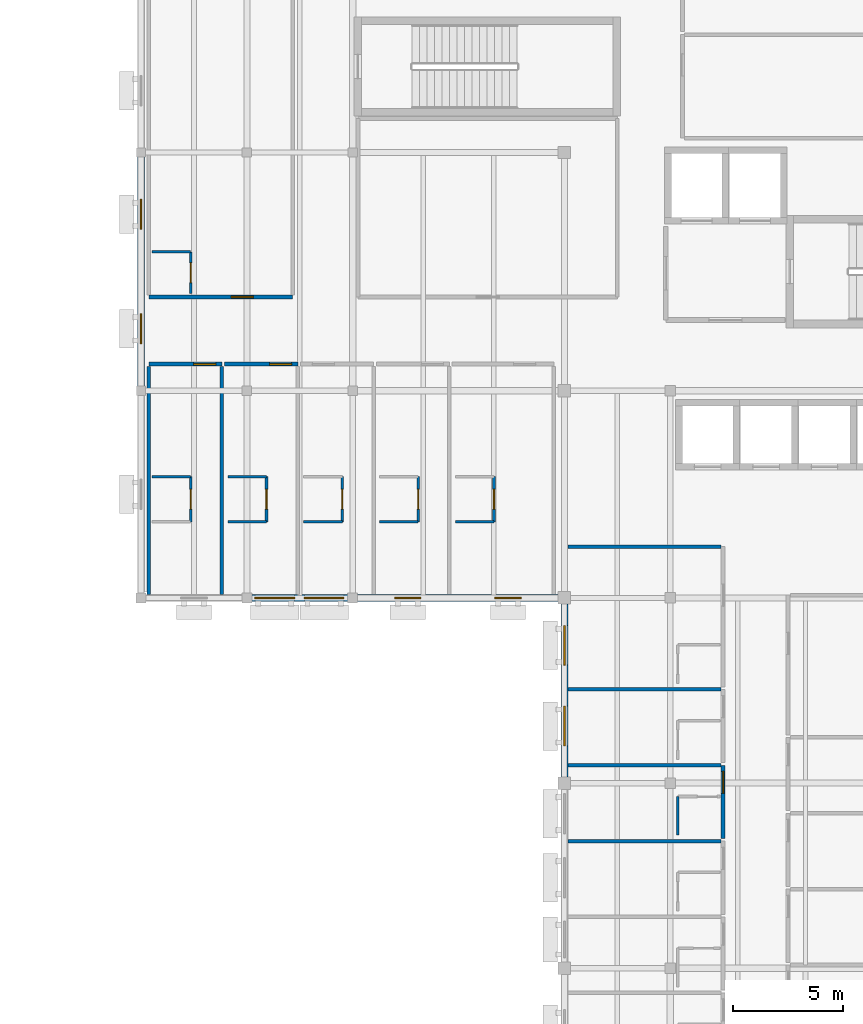
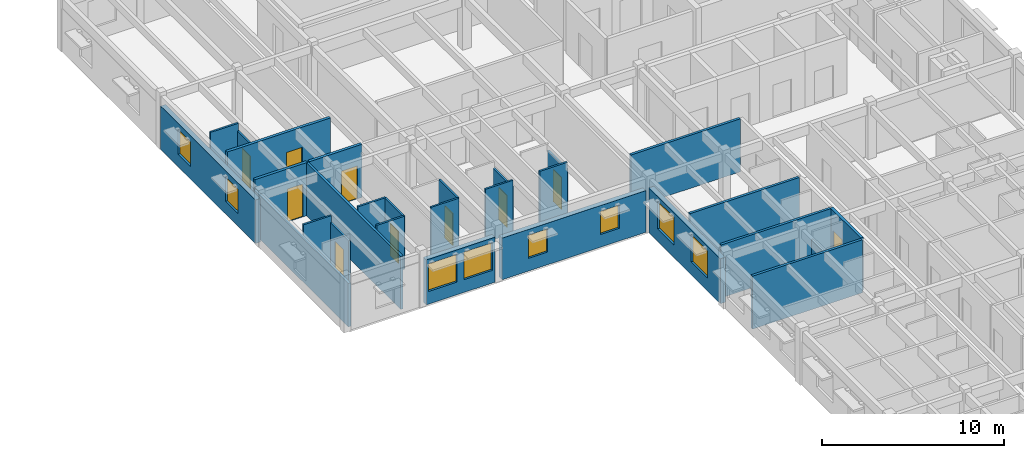
# One storey, part 16 of 31: 28 walls, 10 doors, 8 windows, 18 openings.
"""IFC4 building model written with IfcOpenShell, lengths in metres."""

from ifc_helpers import new_model, si_unit, direction, frame, frame_2d, origin, place, context, subcontext, project, spatial, rectangle, extrude, material, layer, layer_set, type_object, element, fill, save


model = new_model("IFC4")

# Units and contexts
model_context = context("Model", 3, precision=1e-05, world=origin(), true_north=direction((0.0, 1.0)))
body_context = subcontext(model_context, "Body", "Model", "MODEL_VIEW")
ifc_project = project(units=[si_unit("LENGTHUNIT", "METRE"), si_unit("AREAUNIT", "SQUARE_METRE"), si_unit("VOLUMEUNIT", "CUBIC_METRE"), si_unit("PLANEANGLEUNIT", "RADIAN"), si_unit("MASSUNIT", "GRAM", prefix="KILO")], contexts=[model_context])

# Site, building, storey
site_placement = place(None, origin())
site = spatial("IfcSite", under=ifc_project, at=site_placement, CompositionType="ELEMENT")
building_placement = place(site_placement, origin())
building = spatial("IfcBuilding", under=site, at=building_placement, Name="Veldera Park Congress Hotel", CompositionType="ELEMENT")
storey_placement = place(building_placement, frame((0.0, 0.0, 20.0)))
storey = spatial("IfcBuildingStorey", under=building, at=storey_placement, Name="L04", CompositionType="ELEMENT", Elevation=20.0)

# Wall, openings, windows
ifc_material_1 = material(Name="Cross-laminated timber CLT V2M1.1", Category="wood")
ifc_layer_1 = layer(ifc_material_1, 0.320068359375)
ifc_layer_set_1 = layer_set([ifc_layer_1], Name="Cross-laminated timber CLT V2M1.1")
wall_type_1 = type_object("IfcWallType", Name="EW-CLT320", PredefinedType="STANDARD", material=ifc_layer_set_1)
wall_1_placement = place(storey_placement, frame((41.60009765625, 46.991943359375, 0.0), z_axis=(0.0, 0.0, 1.0), x_axis=(0.0, -1.0, 0.0)))
wall_1 = element("IfcWall", 1, at=wall_1_placement, inside=storey, type_object=wall_type_1, Name="L04 Exterior Wall EW3-L04-0262", PredefinedType="STANDARD", context=body_context, shape_type="SweptSolid", body=[
    extrude(rectangle(XDim=10.384033203125, YDim=0.320068359375, at=frame_2d((5.19189453125, 0.0))), origin(), (0.0, 0.0, 1.0), 2.905029296875),
])
opening_1_placement = place(wall_1_placement, frame((1.9208984375, 0.0, 0.85009765625)))
opening_1 = element("IfcOpeningElement", 2, at=opening_1_placement, cuts=wall_1, Name="Opening WIN-1350", PredefinedType="OPENING", context=body_context, shape_type="SweptSolid", body=[
    extrude(rectangle(XDim=1.35009765625, YDim=1.64990234375, at=frame_2d((0.675048828125, 0.824951171875))), frame((0.0, 0.172119140625, 0.0), z_axis=(0.0, -1.0, 0.0), x_axis=(1.0, 0.0, 0.0)), (0.0, 0.0, 1.0), 0.343994140625),
])
opening_2_placement = place(wall_1_placement, frame((7.113037109375, 0.0, 0.85009765625)))
opening_2 = element("IfcOpeningElement", 3, at=opening_2_placement, cuts=wall_1, Name="Opening WIN-1350", PredefinedType="OPENING", context=body_context, shape_type="SweptSolid", body=[
    extrude(rectangle(XDim=1.35009765625, YDim=1.64990234375, at=frame_2d((0.675048828125, 0.824951171875))), frame((0.0, 0.172119140625, 0.0), z_axis=(0.0, -1.0, 0.0), x_axis=(1.0, 0.0, 0.0)), (0.0, 0.0, 1.0), 0.343994140625),
])
ifc_material_2 = material(Name="Low-E Triple Insulating Glass Unit (SHGC 0.22)", Category="glass")
window_type_1 = type_object("IfcWindowType", Name="WIN-1350", PartitioningType="SINGLE_PANEL", PredefinedType="WINDOW", material=ifc_material_2)
window_1_placement = place(opening_1_placement, origin())
window_1 = element("IfcWindow", 4, at=window_1_placement, inside=storey, type_object=window_type_1, Name="L04 Window WIN-1350 211", OverallHeight=1.64990234375, OverallWidth=1.35009765625, PartitioningType="SINGLE_PANEL", PredefinedType="WINDOW", context=body_context, shape_type="SweptSolid", body=[
    extrude(rectangle(XDim=1.35009765625, YDim=1.64990234375, at=frame_2d((0.675048828125, 0.824951171875))), frame((0.0, 0.030029296875, 0.0), z_axis=(0.0, -1.0, 0.0), x_axis=(1.0, 0.0, 0.0)), (0.0, 0.0, 1.0), 0.06005859375),
])
fill(opening_1, window_1)
window_2_placement = place(opening_2_placement, origin())
window_2 = element("IfcWindow", 5, at=window_2_placement, inside=storey, type_object=window_type_1, Name="L04 Window WIN-1350 212", OverallHeight=1.64990234375, OverallWidth=1.35009765625, PartitioningType="SINGLE_PANEL", PredefinedType="WINDOW", context=body_context, shape_type="SweptSolid", body=[
    extrude(rectangle(XDim=1.35009765625, YDim=1.64990234375, at=frame_2d((0.675048828125, 0.824951171875))), frame((0.0, 0.030029296875, 0.0), z_axis=(0.0, -1.0, 0.0), x_axis=(1.0, 0.0, 0.0)), (0.0, 0.0, 1.0), 0.06005859375),
])
fill(opening_2, window_2)

wall_2_placement = place(storey_placement, frame((46.623046875, 27.0, 0.0), z_axis=(0.0, 0.0, 1.0), x_axis=(1.0, 0.0, 0.0)))
wall_2 = element("IfcWall", 6, at=wall_2_placement, inside=storey, type_object=wall_type_1, Name="L04 Exterior Wall EW3-L04-0265", PredefinedType="STANDARD", context=body_context, shape_type="SweptSolid", body=[
    extrude(rectangle(XDim=4.35400390625, YDim=0.320068359375, at=frame_2d((2.177001953125, 0.0))), origin(), (0.0, 0.0, 1.0), 3.0048828125),
])
opening_3_placement = place(wall_2_placement, frame((0.1435546875, 0.0, 0.85009765625)))
opening_3 = element("IfcOpeningElement", 7, at=opening_3_placement, cuts=wall_2, Name="Opening WIN-1800", PredefinedType="OPENING", context=body_context, shape_type="SweptSolid", body=[
    extrude(rectangle(XDim=1.800048828125, YDim=1.85009765625, at=frame_2d((0.89990234375, 0.925048828125))), frame((0.0, 0.172119140625, 0.0), z_axis=(0.0, -1.0, 0.0), x_axis=(1.0, 0.0, 0.0)), (0.0, 0.0, 1.0), 0.343994140625),
])
opening_4_placement = place(wall_2_placement, frame((2.380615234375, 0.0, 0.85009765625)))
opening_4 = element("IfcOpeningElement", 8, at=opening_4_placement, cuts=wall_2, Name="Opening WIN-1800", PredefinedType="OPENING", context=body_context, shape_type="SweptSolid", body=[
    extrude(rectangle(XDim=1.800048828125, YDim=1.85009765625, at=frame_2d((0.89990234375, 0.925048828125))), frame((0.0, 0.172119140625, 0.0), z_axis=(0.0, -1.0, 0.0), x_axis=(1.0, 0.0, 0.0)), (0.0, 0.0, 1.0), 0.343994140625),
])
window_type_2 = type_object("IfcWindowType", Name="WIN-1800", PartitioningType="SINGLE_PANEL", PredefinedType="WINDOW", material=ifc_material_2)
window_3_placement = place(opening_3_placement, origin())
window_3 = element("IfcWindow", 9, at=window_3_placement, inside=storey, type_object=window_type_2, Name="L04 Window WIN-1800 473", OverallHeight=1.85009765625, OverallWidth=1.800048828125, PartitioningType="SINGLE_PANEL", PredefinedType="WINDOW", context=body_context, shape_type="SweptSolid", body=[
    extrude(rectangle(XDim=1.800048828125, YDim=1.85009765625, at=frame_2d((0.89990234375, 0.925048828125))), frame((0.0, 0.030029296875, 0.0), z_axis=(0.0, -1.0, 0.0), x_axis=(1.0, 0.0, 0.0)), (0.0, 0.0, 1.0), 0.06005859375),
])
fill(opening_3, window_3)
window_4_placement = place(opening_4_placement, origin())
window_4 = element("IfcWindow", 10, at=window_4_placement, inside=storey, type_object=window_type_2, Name="L04 Window WIN-1800 474", OverallHeight=1.85009765625, OverallWidth=1.800048828125, PartitioningType="SINGLE_PANEL", PredefinedType="WINDOW", context=body_context, shape_type="SweptSolid", body=[
    extrude(rectangle(XDim=1.800048828125, YDim=1.85009765625, at=frame_2d((0.89990234375, 0.925048828125))), frame((0.0, 0.030029296875, 0.0), z_axis=(0.0, -1.0, 0.0), x_axis=(1.0, 0.0, 0.0)), (0.0, 0.0, 1.0), 0.06005859375),
])
fill(opening_4, window_4)

wall_3_placement = place(storey_placement, frame((51.423095703125, 27.0, 0.0), z_axis=(0.0, 0.0, 1.0), x_axis=(1.0, 0.0, 0.0)))
wall_3 = element("IfcWall", 11, at=wall_3_placement, inside=storey, type_object=wall_type_1, Name="L04 Exterior Wall EW3-L04-0266", PredefinedType="STANDARD", context=body_context, shape_type="SweptSolid", body=[
    extrude(rectangle(XDim=9.098876953125, YDim=0.320068359375, at=frame_2d((4.54931640625, 0.0))), origin(), (0.0, 0.0, 1.0), 2.784912109375),
])
opening_5_placement = place(wall_3_placement, frame((1.6748046875, 0.0, 0.85009765625)))
opening_5 = element("IfcOpeningElement", 12, at=opening_5_placement, cuts=wall_3, Name="Opening WIN-1200", PredefinedType="OPENING", context=body_context, shape_type="SweptSolid", body=[
    extrude(rectangle(XDim=1.199951171875, YDim=1.550048828125, at=frame_2d((0.60009765625, 0.77490234375))), frame((0.0, 0.172119140625, 0.0), z_axis=(0.0, -1.0, 0.0), x_axis=(1.0, 0.0, 0.0)), (0.0, 0.0, 1.0), 0.343994140625),
])
opening_6_placement = place(wall_3_placement, frame((6.22412109375, 0.0, 0.85009765625)))
opening_6 = element("IfcOpeningElement", 13, at=opening_6_placement, cuts=wall_3, Name="Opening WIN-1200", PredefinedType="OPENING", context=body_context, shape_type="SweptSolid", body=[
    extrude(rectangle(XDim=1.199951171875, YDim=1.550048828125, at=frame_2d((0.60009765625, 0.77490234375))), frame((0.0, 0.172119140625, 0.0), z_axis=(0.0, -1.0, 0.0), x_axis=(1.0, 0.0, 0.0)), (0.0, 0.0, 1.0), 0.343994140625),
])
window_type_3 = type_object("IfcWindowType", Name="WIN-1200", PartitioningType="SINGLE_PANEL", PredefinedType="WINDOW", material=ifc_material_2)
window_5_placement = place(opening_5_placement, origin())
window_5 = element("IfcWindow", 14, at=window_5_placement, inside=storey, type_object=window_type_3, Name="L04 Window WIN-1200 215", OverallHeight=1.550048828125, OverallWidth=1.199951171875, PartitioningType="SINGLE_PANEL", PredefinedType="WINDOW", context=body_context, shape_type="SweptSolid", body=[
    extrude(rectangle(XDim=1.199951171875, YDim=1.550048828125, at=frame_2d((0.60009765625, 0.77490234375))), frame((0.0, 0.030029296875, 0.0), z_axis=(0.0, -1.0, 0.0), x_axis=(1.0, 0.0, 0.0)), (0.0, 0.0, 1.0), 0.06005859375),
])
fill(opening_5, window_5)
window_6_placement = place(opening_6_placement, origin())
window_6 = element("IfcWindow", 15, at=window_6_placement, inside=storey, type_object=window_type_3, Name="L04 Window WIN-1200 216", OverallHeight=1.550048828125, OverallWidth=1.199951171875, PartitioningType="SINGLE_PANEL", PredefinedType="WINDOW", context=body_context, shape_type="SweptSolid", body=[
    extrude(rectangle(XDim=1.199951171875, YDim=1.550048828125, at=frame_2d((0.60009765625, 0.77490234375))), frame((0.0, 0.030029296875, 0.0), z_axis=(0.0, -1.0, 0.0), x_axis=(1.0, 0.0, 0.0)), (0.0, 0.0, 1.0), 0.06005859375),
])
fill(opening_6, window_6)

wall_4_placement = place(storey_placement, frame((60.800048828125, 26.721923828125, 0.0), z_axis=(0.0, 0.0, 1.0), x_axis=(0.0, -1.0, 0.0)))
wall_4 = element("IfcWall", 16, at=wall_4_placement, inside=storey, type_object=wall_type_1, Name="L04 Exterior Wall EW3-L04-0267", PredefinedType="STANDARD", context=body_context, shape_type="SweptSolid", body=[
    extrude(rectangle(XDim=7.843994140625, YDim=0.320068359375, at=frame_2d((3.921875, 0.0))), origin(), (0.0, 0.0, 1.0), 3.0048828125),
])
opening_7_placement = place(wall_4_placement, frame((4.632080078125, 0.0, 0.85009765625)))
opening_7 = element("IfcOpeningElement", 17, at=opening_7_placement, cuts=wall_4, Name="Opening WIN-1800", PredefinedType="OPENING", context=body_context, shape_type="SweptSolid", body=[
    extrude(rectangle(XDim=1.800048828125, YDim=1.85009765625, at=frame_2d((0.89990234375, 0.925048828125))), frame((0.0, 0.172119140625, 0.0), z_axis=(0.0, -1.0, 0.0), x_axis=(1.0, 0.0, 0.0)), (0.0, 0.0, 1.0), 0.343994140625),
])
opening_8_placement = place(wall_4_placement, frame((0.97607421875, 0.0, 0.85009765625)))
opening_8 = element("IfcOpeningElement", 18, at=opening_8_placement, cuts=wall_4, Name="Opening WIN-1800", PredefinedType="OPENING", context=body_context, shape_type="SweptSolid", body=[
    extrude(rectangle(XDim=1.800048828125, YDim=1.85009765625, at=frame_2d((0.89990234375, 0.925048828125))), frame((0.0, 0.172119140625, 0.0), z_axis=(0.0, -1.0, 0.0), x_axis=(1.0, 0.0, 0.0)), (0.0, 0.0, 1.0), 0.343994140625),
])
window_7_placement = place(opening_7_placement, origin())
window_7 = element("IfcWindow", 19, at=window_7_placement, inside=storey, type_object=window_type_2, Name="L04 Window WIN-1800 455", OverallHeight=1.85009765625, OverallWidth=1.800048828125, PartitioningType="SINGLE_PANEL", PredefinedType="WINDOW", context=body_context, shape_type="SweptSolid", body=[
    extrude(rectangle(XDim=1.800048828125, YDim=1.85009765625, at=frame_2d((0.89990234375, 0.925048828125))), frame((0.0, 0.030029296875, 0.0), z_axis=(0.0, -1.0, 0.0), x_axis=(1.0, 0.0, 0.0)), (0.0, 0.0, 1.0), 0.06005859375),
])
fill(opening_7, window_7)
window_8_placement = place(opening_8_placement, origin())
window_8 = element("IfcWindow", 20, at=window_8_placement, inside=storey, type_object=window_type_2, Name="L04 Window WIN-1800 456", OverallHeight=1.85009765625, OverallWidth=1.800048828125, PartitioningType="SINGLE_PANEL", PredefinedType="WINDOW", context=body_context, shape_type="SweptSolid", body=[
    extrude(rectangle(XDim=1.800048828125, YDim=1.85009765625, at=frame_2d((0.89990234375, 0.925048828125))), frame((0.0, 0.030029296875, 0.0), z_axis=(0.0, -1.0, 0.0), x_axis=(1.0, 0.0, 0.0)), (0.0, 0.0, 1.0), 0.06005859375),
])
fill(opening_8, window_8)

# Walls
ifc_material_3 = material(Name="Fire-Rated Gypsum Board on Cold-Formed Steel Studs", Category="steel")
ifc_layer_2 = layer(ifc_material_3, 0.1201171875)
ifc_layer_set_2 = layer_set([ifc_layer_2], Name="Fire-Rated Gypsum Board on Cold-Formed Steel Studs")
wall_type_2 = type_object("IfcWallType", Name="IW-BATH120", PredefinedType="PARTITIONING", material=ifc_layer_set_2)
wall_5_placement = place(storey_placement, frame((65.949951171875, 16.239990234375, 0.0), z_axis=(0.0, 0.0, 1.0), x_axis=(0.0, 1.0, 0.0)))
element("IfcWall", 21, at=wall_5_placement, inside=storey, type_object=wall_type_2, Name="L04 Partition Wall IW3-L04-00869", PredefinedType="PARTITIONING", context=body_context, shape_type="SweptSolid", body=[
    extrude(rectangle(XDim=1.75, YDim=0.1201171875, at=frame_2d((0.875, 0.0))), origin(), (0.0, 0.0, 1.0), 3.0048828125),
])
wall_6_placement = place(storey_placement, frame((42.10009765625, 32.5, 0.0), z_axis=(0.0, 0.0, 1.0), x_axis=(1.0, 0.0, 0.0)))
element("IfcWall", 22, at=wall_6_placement, inside=storey, type_object=wall_type_2, Name="L04 Partition Wall IW3-L04-00969", PredefinedType="PARTITIONING", context=body_context, shape_type="SweptSolid", body=[
    extrude(rectangle(XDim=1.75, YDim=0.1201171875, at=frame_2d((0.875, 0.0))), origin(), (0.0, 0.0, 1.0), 3.550048828125),
])

# Wall, opening, door
wall_7_placement = place(storey_placement, frame((43.85009765625, 30.449951171875, 0.0), z_axis=(0.0, 0.0, 1.0), x_axis=(0.0, 1.0, 0.0)))
wall_7 = element("IfcWall", 23, at=wall_7_placement, inside=storey, type_object=wall_type_2, Name="L04 Partition Wall IW3-L04-00970", PredefinedType="PARTITIONING", context=body_context, shape_type="SweptSolid", body=[
    extrude(rectangle(XDim=2.050048828125, YDim=0.1201171875, at=frame_2d((1.02490234375, 0.0))), origin(), (0.0, 0.0, 1.0), 3.094970703125),
])
opening_9_placement = place(wall_7_placement, frame((0.574951171875, 0.0, 0.0)))
opening_9 = element("IfcOpeningElement", 24, at=opening_9_placement, cuts=wall_7, Name="Opening ID-BATH090", PredefinedType="OPENING", context=body_context, shape_type="SweptSolid", body=[
    extrude(rectangle(XDim=0.89990234375, YDim=2.14990234375, at=frame_2d((0.449951171875, 1.074951171875))), frame((0.0, 0.072021484375, 0.0), z_axis=(0.0, -1.0, 0.0), x_axis=(1.0, 0.0, 0.0)), (0.0, 0.0, 1.0), 0.14404296875),
])
ifc_material_4 = material(Name="Solid Core White Oak Architectural Door", Category="wood")
door_type_1 = type_object("IfcDoorType", Name="ID-BATH090", OperationType="NOTDEFINED", PredefinedType="DOOR", material=ifc_material_4)
door_1_placement = place(opening_9_placement, origin())
door_1 = element("IfcDoor", 25, at=door_1_placement, inside=storey, type_object=door_type_1, Name="L04 En-suite 131 Door ID3-L04-0401 (DR3-ID3-L04-0401)", OperationType="SINGLE_SWING_LEFT", OverallHeight=2.14990234375, OverallWidth=0.89990234375, PredefinedType="DOOR", context=body_context, shape_type="SweptSolid", body=[
    extrude(rectangle(XDim=0.89990234375, YDim=2.14990234375, at=frame_2d((0.449951171875, 1.074951171875))), frame((0.0, 0.02490234375, 0.0), z_axis=(0.0, -1.0, 0.0), x_axis=(1.0, 0.0, 0.0)), (0.0, 0.0, 1.0), 0.050048828125),
])
fill(opening_9, door_1)

# Wall
wall_8_placement = place(storey_placement, frame((45.5400390625, 32.5, 0.0), z_axis=(0.0, 0.0, 1.0), x_axis=(1.0, 0.0, 0.0)))
element("IfcWall", 26, at=wall_8_placement, inside=storey, type_object=wall_type_2, Name="L04 Partition Wall IW3-L04-00974", PredefinedType="PARTITIONING", context=body_context, shape_type="SweptSolid", body=[
    extrude(rectangle(XDim=1.75, YDim=0.1201171875, at=frame_2d((0.875, 0.0))), origin(), (0.0, 0.0, 1.0), 3.550048828125),
])

# Wall, opening, door
wall_9_placement = place(storey_placement, frame((47.2900390625, 30.449951171875, 0.0), z_axis=(0.0, 0.0, 1.0), x_axis=(0.0, 1.0, 0.0)))
wall_9 = element("IfcWall", 27, at=wall_9_placement, inside=storey, type_object=wall_type_2, Name="L04 Partition Wall IW3-L04-00975", PredefinedType="PARTITIONING", context=body_context, shape_type="SweptSolid", body=[
    extrude(rectangle(XDim=2.050048828125, YDim=0.1201171875, at=frame_2d((1.02490234375, 0.0))), origin(), (0.0, 0.0, 1.0), 3.550048828125),
])
opening_10_placement = place(wall_9_placement, frame((0.574951171875, 0.0, 0.0)))
opening_10 = element("IfcOpeningElement", 28, at=opening_10_placement, cuts=wall_9, Name="Opening ID-BATH090", PredefinedType="OPENING", context=body_context, shape_type="SweptSolid", body=[
    extrude(rectangle(XDim=0.89990234375, YDim=2.14990234375, at=frame_2d((0.449951171875, 1.074951171875))), frame((0.0, 0.072021484375, 0.0), z_axis=(0.0, -1.0, 0.0), x_axis=(1.0, 0.0, 0.0)), (0.0, 0.0, 1.0), 0.14404296875),
])
door_2_placement = place(opening_10_placement, origin())
door_2 = element("IfcDoor", 29, at=door_2_placement, inside=storey, type_object=door_type_1, Name="L04 En-suite 132 Door ID3-L04-0403 (DR3-ID3-L04-0403)", OperationType="SINGLE_SWING_LEFT", OverallHeight=2.14990234375, OverallWidth=0.89990234375, PredefinedType="DOOR", context=body_context, shape_type="SweptSolid", body=[
    extrude(rectangle(XDim=0.89990234375, YDim=2.14990234375, at=frame_2d((0.449951171875, 1.074951171875))), frame((0.0, 0.02490234375, 0.0), z_axis=(0.0, -1.0, 0.0), x_axis=(1.0, 0.0, 0.0)), (0.0, 0.0, 1.0), 0.050048828125),
])
fill(opening_10, door_2)

# Wall
wall_10_placement = place(storey_placement, frame((45.5400390625, 30.449951171875, 0.0), z_axis=(0.0, 0.0, 1.0), x_axis=(1.0, 0.0, 0.0)))
element("IfcWall", 30, at=wall_10_placement, inside=storey, type_object=wall_type_2, Name="L04 Partition Wall IW3-L04-00976", PredefinedType="PARTITIONING", context=body_context, shape_type="SweptSolid", body=[
    extrude(rectangle(XDim=1.75, YDim=0.1201171875, at=frame_2d((0.875, 0.0))), origin(), (0.0, 0.0, 1.0), 3.550048828125),
])

# Wall, opening, door
wall_11_placement = place(storey_placement, frame((50.72998046875, 30.449951171875, 0.0), z_axis=(0.0, 0.0, 1.0), x_axis=(0.0, 1.0, 0.0)))
wall_11 = element("IfcWall", 31, at=wall_11_placement, inside=storey, type_object=wall_type_2, Name="L04 Partition Wall IW3-L04-00980", PredefinedType="PARTITIONING", context=body_context, shape_type="SweptSolid", body=[
    extrude(rectangle(XDim=2.050048828125, YDim=0.1201171875, at=frame_2d((1.02490234375, 0.0))), origin(), (0.0, 0.0, 1.0), 3.550048828125),
])
opening_11_placement = place(wall_11_placement, frame((0.574951171875, 0.0, 0.0)))
opening_11 = element("IfcOpeningElement", 32, at=opening_11_placement, cuts=wall_11, Name="Opening ID-BATH090", PredefinedType="OPENING", context=body_context, shape_type="SweptSolid", body=[
    extrude(rectangle(XDim=0.89990234375, YDim=2.14990234375, at=frame_2d((0.449951171875, 1.074951171875))), frame((0.0, 0.072021484375, 0.0), z_axis=(0.0, -1.0, 0.0), x_axis=(1.0, 0.0, 0.0)), (0.0, 0.0, 1.0), 0.14404296875),
])
door_3_placement = place(opening_11_placement, origin())
door_3 = element("IfcDoor", 33, at=door_3_placement, inside=storey, type_object=door_type_1, Name="L04 En-suite 133 Door ID3-L04-0405 (DR3-ID3-L04-0405)", OperationType="SINGLE_SWING_LEFT", OverallHeight=2.14990234375, OverallWidth=0.89990234375, PredefinedType="DOOR", context=body_context, shape_type="SweptSolid", body=[
    extrude(rectangle(XDim=0.89990234375, YDim=2.14990234375, at=frame_2d((0.449951171875, 1.074951171875))), frame((0.0, 0.02490234375, 0.0), z_axis=(0.0, -1.0, 0.0), x_axis=(1.0, 0.0, 0.0)), (0.0, 0.0, 1.0), 0.050048828125),
])
fill(opening_11, door_3)

# Wall
wall_12_placement = place(storey_placement, frame((48.97998046875, 30.449951171875, 0.0), z_axis=(0.0, 0.0, 1.0), x_axis=(1.0, 0.0, 0.0)))
element("IfcWall", 34, at=wall_12_placement, inside=storey, type_object=wall_type_2, Name="L04 Partition Wall IW3-L04-00981", PredefinedType="PARTITIONING", context=body_context, shape_type="SweptSolid", body=[
    extrude(rectangle(XDim=1.75, YDim=0.1201171875, at=frame_2d((0.875, 0.0))), origin(), (0.0, 0.0, 1.0), 3.550048828125),
])

# Wall, opening, door
wall_13_placement = place(storey_placement, frame((54.169921875, 30.449951171875, 0.0), z_axis=(0.0, 0.0, 1.0), x_axis=(0.0, 1.0, 0.0)))
wall_13 = element("IfcWall", 35, at=wall_13_placement, inside=storey, type_object=wall_type_2, Name="L04 Partition Wall IW3-L04-00985", PredefinedType="PARTITIONING", context=body_context, shape_type="SweptSolid", body=[
    extrude(rectangle(XDim=2.050048828125, YDim=0.1201171875, at=frame_2d((1.02490234375, 0.0))), origin(), (0.0, 0.0, 1.0), 3.094970703125),
])
opening_12_placement = place(wall_13_placement, frame((0.574951171875, 0.0, 0.0)))
opening_12 = element("IfcOpeningElement", 36, at=opening_12_placement, cuts=wall_13, Name="Opening ID-BATH090", PredefinedType="OPENING", context=body_context, shape_type="SweptSolid", body=[
    extrude(rectangle(XDim=0.89990234375, YDim=2.14990234375, at=frame_2d((0.449951171875, 1.074951171875))), frame((0.0, 0.072021484375, 0.0), z_axis=(0.0, -1.0, 0.0), x_axis=(1.0, 0.0, 0.0)), (0.0, 0.0, 1.0), 0.14404296875),
])
door_4_placement = place(opening_12_placement, origin())
door_4 = element("IfcDoor", 37, at=door_4_placement, inside=storey, type_object=door_type_1, Name="L04 En-suite 134 Door ID3-L04-0407 (DR3-ID3-L04-0407)", OperationType="SINGLE_SWING_LEFT", OverallHeight=2.14990234375, OverallWidth=0.89990234375, PredefinedType="DOOR", context=body_context, shape_type="SweptSolid", body=[
    extrude(rectangle(XDim=0.89990234375, YDim=2.14990234375, at=frame_2d((0.449951171875, 1.074951171875))), frame((0.0, 0.02490234375, 0.0), z_axis=(0.0, -1.0, 0.0), x_axis=(1.0, 0.0, 0.0)), (0.0, 0.0, 1.0), 0.050048828125),
])
fill(opening_12, door_4)

# Wall
wall_14_placement = place(storey_placement, frame((52.419921875, 30.449951171875, 0.0), z_axis=(0.0, 0.0, 1.0), x_axis=(1.0, 0.0, 0.0)))
element("IfcWall", 38, at=wall_14_placement, inside=storey, type_object=wall_type_2, Name="L04 Partition Wall IW3-L04-00986", PredefinedType="PARTITIONING", context=body_context, shape_type="SweptSolid", body=[
    extrude(rectangle(XDim=1.75, YDim=0.1201171875, at=frame_2d((0.875, 0.0))), origin(), (0.0, 0.0, 1.0), 3.550048828125),
])

# Wall, opening, door
wall_15_placement = place(storey_placement, frame((57.610107421875, 30.449951171875, 0.0), z_axis=(0.0, 0.0, 1.0), x_axis=(0.0, 1.0, 0.0)))
wall_15 = element("IfcWall", 39, at=wall_15_placement, inside=storey, type_object=wall_type_2, Name="L04 Partition Wall IW3-L04-00990", PredefinedType="PARTITIONING", context=body_context, shape_type="SweptSolid", body=[
    extrude(rectangle(XDim=2.050048828125, YDim=0.1201171875, at=frame_2d((1.02490234375, 0.0))), origin(), (0.0, 0.0, 1.0), 3.094970703125),
])
opening_13_placement = place(wall_15_placement, frame((0.574951171875, 0.0, 0.0)))
opening_13 = element("IfcOpeningElement", 40, at=opening_13_placement, cuts=wall_15, Name="Opening ID-BATH090", PredefinedType="OPENING", context=body_context, shape_type="SweptSolid", body=[
    extrude(rectangle(XDim=0.89990234375, YDim=2.14990234375, at=frame_2d((0.449951171875, 1.074951171875))), frame((0.0, 0.072021484375, 0.0), z_axis=(0.0, -1.0, 0.0), x_axis=(1.0, 0.0, 0.0)), (0.0, 0.0, 1.0), 0.14404296875),
])
door_5_placement = place(opening_13_placement, origin())
door_5 = element("IfcDoor", 41, at=door_5_placement, inside=storey, type_object=door_type_1, Name="L04 En-suite 135 Door ID3-L04-0409 (DR3-ID3-L04-0409)", OperationType="SINGLE_SWING_LEFT", OverallHeight=2.14990234375, OverallWidth=0.89990234375, PredefinedType="DOOR", context=body_context, shape_type="SweptSolid", body=[
    extrude(rectangle(XDim=0.89990234375, YDim=2.14990234375, at=frame_2d((0.449951171875, 1.074951171875))), frame((0.0, 0.02490234375, 0.0), z_axis=(0.0, -1.0, 0.0), x_axis=(1.0, 0.0, 0.0)), (0.0, 0.0, 1.0), 0.050048828125),
])
fill(opening_13, door_5)

# Wall
wall_16_placement = place(storey_placement, frame((55.860107421875, 30.449951171875, 0.0), z_axis=(0.0, 0.0, 1.0), x_axis=(1.0, 0.0, 0.0)))
element("IfcWall", 42, at=wall_16_placement, inside=storey, type_object=wall_type_2, Name="L04 Partition Wall IW3-L04-00991", PredefinedType="PARTITIONING", context=body_context, shape_type="SweptSolid", body=[
    extrude(rectangle(XDim=1.75, YDim=0.1201171875, at=frame_2d((0.875, 0.0))), origin(), (0.0, 0.0, 1.0), 3.550048828125),
])

# Wall, opening, door
wall_17_placement = place(storey_placement, frame((43.85009765625, 40.800048828125, 0.0), z_axis=(0.0, 0.0, 1.0), x_axis=(0.0, 1.0, 0.0)))
wall_17 = element("IfcWall", 43, at=wall_17_placement, inside=storey, type_object=wall_type_2, Name="L04 Partition Wall IW3-L04-01006", PredefinedType="PARTITIONING", context=body_context, shape_type="SweptSolid", body=[
    extrude(rectangle(XDim=1.89990234375, YDim=0.1201171875, at=frame_2d((0.949951171875, 0.0))), origin(), (0.0, 0.0, 1.0), 3.050048828125),
])
opening_14_placement = place(wall_17_placement, frame((0.5, 0.0, 0.0)))
opening_14 = element("IfcOpeningElement", 44, at=opening_14_placement, cuts=wall_17, Name="Opening ID-BATH090", PredefinedType="OPENING", context=body_context, shape_type="SweptSolid", body=[
    extrude(rectangle(XDim=0.89990234375, YDim=2.14990234375, at=frame_2d((0.449951171875, 1.074951171875))), frame((0.0, 0.072021484375, 0.0), z_axis=(0.0, -1.0, 0.0), x_axis=(1.0, 0.0, 0.0)), (0.0, 0.0, 1.0), 0.14404296875),
])
door_6_placement = place(opening_14_placement, origin())
door_6 = element("IfcDoor", 45, at=door_6_placement, inside=storey, type_object=door_type_1, Name="L04 En-suite 138 Door ID3-L04-0415 (DR3-ID3-L04-0415)", OperationType="SINGLE_SWING_LEFT", OverallHeight=2.14990234375, OverallWidth=0.89990234375, PredefinedType="DOOR", context=body_context, shape_type="SweptSolid", body=[
    extrude(rectangle(XDim=0.89990234375, YDim=2.14990234375, at=frame_2d((0.449951171875, 1.074951171875))), frame((0.0, 0.02490234375, 0.0), z_axis=(0.0, -1.0, 0.0), x_axis=(1.0, 0.0, 0.0)), (0.0, 0.0, 1.0), 0.050048828125),
])
fill(opening_14, door_6)

# Wall
wall_18_placement = place(storey_placement, frame((42.10009765625, 42.699951171875, 0.0), z_axis=(0.0, 0.0, 1.0), x_axis=(1.0, 0.0, 0.0)))
element("IfcWall", 46, at=wall_18_placement, inside=storey, type_object=wall_type_2, Name="L04 Partition Wall IW3-L04-01007", PredefinedType="PARTITIONING", context=body_context, shape_type="SweptSolid", body=[
    extrude(rectangle(XDim=1.75, YDim=0.1201171875, at=frame_2d((0.875, 0.0))), origin(), (0.0, 0.0, 1.0), 3.550048828125),
])

# Wall, opening, door
ifc_layer_3 = layer(ifc_material_3, 0.179931640625)
ifc_layer_set_3 = layer_set([ifc_layer_3], Name="Fire-Rated Gypsum Board on Cold-Formed Steel Studs")
wall_type_3 = type_object("IfcWallType", Name="IW-CORR180", PredefinedType="PARTITIONING", material=ifc_layer_set_3)
wall_19_placement = place(storey_placement, frame((68.0, 16.090087890625, 0.0), z_axis=(0.0, 0.0, 1.0), x_axis=(0.0, 1.0, 0.0)))
wall_19 = element("IfcWall", 47, at=wall_19_placement, inside=storey, type_object=wall_type_3, Name="L04 Corridor Wall IW3-L04-00867", PredefinedType="PARTITIONING", context=body_context, shape_type="SweptSolid", body=[
    extrude(rectangle(XDim=3.31982421875, YDim=0.179931640625, at=frame_2d((1.659912109375, 0.0))), origin(), (0.0, 0.0, 1.0), 3.550048828125),
])
opening_15_placement = place(wall_19_placement, frame((2.0400390625, 0.0, 0.0)))
opening_15 = element("IfcOpeningElement", 48, at=opening_15_placement, cuts=wall_19, Name="Opening ID-UNIT100", PredefinedType="OPENING", context=body_context, shape_type="SweptSolid", body=[
    extrude(rectangle(XDim=1.0, YDim=2.199951171875, at=frame_2d((0.5, 1.10009765625))), frame((0.0, 0.10205078125, 0.0), z_axis=(0.0, -1.0, 0.0), x_axis=(1.0, 0.0, 0.0)), (0.0, 0.0, 1.0), 0.203857421875),
])
door_type_2 = type_object("IfcDoorType", Name="ID-UNIT100", OperationType="NOTDEFINED", PredefinedType="DOOR", material=ifc_material_4)
door_7_placement = place(opening_15_placement, origin())
door_7 = element("IfcDoor", 49, at=door_7_placement, inside=storey, type_object=door_type_2, Name="L04 Guestroom 111 Entry Door (DR3-UD3-L04-111)", OperationType="SINGLE_SWING_RIGHT", OverallHeight=2.199951171875, OverallWidth=1.0, PredefinedType="DOOR", context=body_context, shape_type="SweptSolid", body=[
    extrude(rectangle(XDim=1.0, YDim=2.199951171875, at=frame_2d((0.5, 1.10009765625))), frame((0.0, 0.02490234375, 0.0), z_axis=(0.0, -1.0, 0.0), x_axis=(1.0, 0.0, 0.0)), (0.0, 0.0, 1.0), 0.050048828125),
])
fill(opening_15, door_7)

wall_20_placement = place(storey_placement, frame((45.27001953125, 37.60009765625, 0.0), z_axis=(0.0, 0.0, 1.0), x_axis=(-1.0, 0.0, 0.0)))
wall_20 = element("IfcWall", 50, at=wall_20_placement, inside=storey, type_object=wall_type_3, Name="L04 Corridor Wall IW3-L04-00966", PredefinedType="PARTITIONING", context=body_context, shape_type="SweptSolid", body=[
    extrude(rectangle(XDim=3.320068359375, YDim=0.179931640625, at=frame_2d((1.66015625, 0.0))), origin(), (0.0, 0.0, 1.0), 3.550048828125),
])
opening_16_placement = place(wall_20_placement, frame((0.280029296875, 0.0, 0.0)))
opening_16 = element("IfcOpeningElement", 51, at=opening_16_placement, cuts=wall_20, Name="Opening ID-UNIT100", PredefinedType="OPENING", context=body_context, shape_type="SweptSolid", body=[
    extrude(rectangle(XDim=1.0, YDim=2.199951171875, at=frame_2d((0.5, 1.10009765625))), frame((0.0, 0.10205078125, 0.0), z_axis=(0.0, -1.0, 0.0), x_axis=(1.0, 0.0, 0.0)), (0.0, 0.0, 1.0), 0.203857421875),
])
door_8_placement = place(opening_16_placement, frame((1.0, 0.0, 0.0), z_axis=(0.0, 0.0, 1.0), x_axis=(-1.0, 0.0, 0.0)))
door_8 = element("IfcDoor", 52, at=door_8_placement, inside=storey, type_object=door_type_2, Name="L04 Guestroom 131 Entry Door (DR3-UD3-L04-131)", OperationType="SINGLE_SWING_RIGHT", OverallHeight=2.199951171875, OverallWidth=1.0, PredefinedType="DOOR", context=body_context, shape_type="SweptSolid", body=[
    extrude(rectangle(XDim=1.0, YDim=2.199951171875, at=frame_2d((0.5, 1.10009765625))), frame((0.0, 0.02490234375, 0.0), z_axis=(0.0, -1.0, 0.0), x_axis=(1.0, 0.0, 0.0)), (0.0, 0.0, 1.0), 0.050048828125),
])
fill(opening_16, door_8)

wall_21_placement = place(storey_placement, frame((48.7099609375, 37.60009765625, 0.0), z_axis=(0.0, 0.0, 1.0), x_axis=(-1.0, 0.0, 0.0)))
wall_21 = element("IfcWall", 53, at=wall_21_placement, inside=storey, type_object=wall_type_3, Name="L04 Corridor Wall IW3-L04-00972", PredefinedType="PARTITIONING", context=body_context, shape_type="SweptSolid", body=[
    extrude(rectangle(XDim=3.320068359375, YDim=0.179931640625, at=frame_2d((1.66015625, 0.0))), origin(), (0.0, 0.0, 1.0), 3.550048828125),
])
opening_17_placement = place(wall_21_placement, frame((0.280029296875, 0.0, 0.0)))
opening_17 = element("IfcOpeningElement", 54, at=opening_17_placement, cuts=wall_21, Name="Opening ID-UNIT100", PredefinedType="OPENING", context=body_context, shape_type="SweptSolid", body=[
    extrude(rectangle(XDim=1.0, YDim=2.199951171875, at=frame_2d((0.5, 1.10009765625))), frame((0.0, 0.10205078125, 0.0), z_axis=(0.0, -1.0, 0.0), x_axis=(1.0, 0.0, 0.0)), (0.0, 0.0, 1.0), 0.203857421875),
])
door_9_placement = place(opening_17_placement, frame((1.0, 0.0, 0.0), z_axis=(0.0, 0.0, 1.0), x_axis=(-1.0, 0.0, 0.0)))
door_9 = element("IfcDoor", 55, at=door_9_placement, inside=storey, type_object=door_type_2, Name="L04 Guestroom 132 Entry Door (DR3-UD3-L04-132)", OperationType="SINGLE_SWING_RIGHT", OverallHeight=2.199951171875, OverallWidth=1.0, PredefinedType="DOOR", context=body_context, shape_type="SweptSolid", body=[
    extrude(rectangle(XDim=1.0, YDim=2.199951171875, at=frame_2d((0.5, 1.10009765625))), frame((0.0, 0.02490234375, 0.0), z_axis=(0.0, -1.0, 0.0), x_axis=(1.0, 0.0, 0.0)), (0.0, 0.0, 1.0), 0.050048828125),
])
fill(opening_17, door_9)

wall_22_placement = place(storey_placement, frame((41.949951171875, 40.64990234375, 0.0), z_axis=(0.0, 0.0, 1.0), x_axis=(1.0, 0.0, 0.0)))
wall_22 = element("IfcWall", 56, at=wall_22_placement, inside=storey, type_object=wall_type_3, Name="L04 Corridor Wall IW3-L04-01003", PredefinedType="PARTITIONING", context=body_context, shape_type="SweptSolid", body=[
    extrude(rectangle(XDim=6.530029296875, YDim=0.179931640625, at=frame_2d((3.26513671875, 0.0))), origin(), (0.0, 0.0, 1.0), 3.550048828125),
])
opening_18_placement = place(wall_22_placement, frame((3.7451171875, 0.0, 0.0)))
opening_18 = element("IfcOpeningElement", 57, at=opening_18_placement, cuts=wall_22, Name="Opening ID-UNIT100", PredefinedType="OPENING", context=body_context, shape_type="SweptSolid", body=[
    extrude(rectangle(XDim=1.0, YDim=2.199951171875, at=frame_2d((0.5, 1.10009765625))), frame((0.0, 0.10205078125, 0.0), z_axis=(0.0, -1.0, 0.0), x_axis=(1.0, 0.0, 0.0)), (0.0, 0.0, 1.0), 0.203857421875),
])
door_10_placement = place(opening_18_placement, frame((1.0, 0.0, 0.0), z_axis=(0.0, 0.0, 1.0), x_axis=(-1.0, 0.0, 0.0)))
door_10 = element("IfcDoor", 58, at=door_10_placement, inside=storey, type_object=door_type_2, Name="L04 Guestroom 138 Entry Door (DR3-UD3-L04-138)", OperationType="SINGLE_SWING_RIGHT", OverallHeight=2.199951171875, OverallWidth=1.0, PredefinedType="DOOR", context=body_context, shape_type="SweptSolid", body=[
    extrude(rectangle(XDim=1.0, YDim=2.199951171875, at=frame_2d((0.5, 1.10009765625))), frame((0.0, 0.02490234375, 0.0), z_axis=(0.0, -1.0, 0.0), x_axis=(1.0, 0.0, 0.0)), (0.0, 0.0, 1.0), 0.050048828125),
])
fill(opening_18, door_10)

# Walls
ifc_layer_4 = layer(ifc_material_1, 0.159912109375)
ifc_layer_set_4 = layer_set([ifc_layer_4], Name="Cross-laminated timber CLT V2M1.1")
wall_type_4 = type_object("IfcWallType", Name="IW-UNIT160", PredefinedType="PARTITIONING", material=ifc_layer_set_4)
for number, where, z_axis, x_axis, name in (
    (59, (60.9599609375, 15.969970703125, 0.0), (0.0, 0.0, 1.0), (1.0, 0.0, 0.0), "L04 Partition Wall IW3-L04-00864"),
    (60, (60.9599609375, 19.409912109375, 0.0), (0.0, 0.0, 1.0), (1.0, 0.0, 0.0), "L04 Partition Wall IW3-L04-00868"),
    (61, (60.9599609375, 22.85009765625, 0.0), (0.0, 0.0, 1.0), (1.0, 0.0, 0.0), "L04 Partition Wall IW3-L04-00872"),
    (62, (60.9599609375, 29.330078125, 0.0), (0.0, 0.0, 1.0), (1.0, 0.0, 0.0), "L04 Partition Wall IW3-L04-00876"),
):
    element("IfcWall", number, at=place(storey_placement, frame(where, z_axis=z_axis, x_axis=x_axis)), inside=storey, type_object=wall_type_4, Name=name, PredefinedType="PARTITIONING", context=body_context, shape_type="SweptSolid", body=[
        extrude(rectangle(XDim=6.93994140625, YDim=0.159912109375, at=frame_2d((3.469970703125, 0.0))), origin(), (0.0, 0.0, 1.0), 3.550048828125),
    ])
wall_23_placement = place(storey_placement, frame((41.949951171875, 27.159912109375, 0.0), z_axis=(0.0, 0.0, 1.0), x_axis=(0.0, 1.0, 0.0)))
element("IfcWall", 63, at=wall_23_placement, inside=storey, type_object=wall_type_4, Name="L04 Partition Wall IW3-L04-00967", PredefinedType="PARTITIONING", context=body_context, shape_type="SweptSolid", body=[
    extrude(rectangle(XDim=10.340087890625, YDim=0.159912109375, at=frame_2d((5.169921875, 0.0))), origin(), (0.0, 0.0, 1.0), 2.905029296875),
])
wall_24_placement = place(storey_placement, frame((45.27001953125, 27.159912109375, 0.0), z_axis=(0.0, 0.0, 1.0), x_axis=(0.0, 1.0, 0.0)))
element("IfcWall", 64, at=wall_24_placement, inside=storey, type_object=wall_type_4, Name="L04 Partition Wall IW3-L04-00968", PredefinedType="PARTITIONING", context=body_context, shape_type="SweptSolid", body=[
    extrude(rectangle(XDim=10.340087890625, YDim=0.159912109375, at=frame_2d((5.169921875, 0.0))), origin(), (0.0, 0.0, 1.0), 3.550048828125),
])

save(model, "model.ifc")
